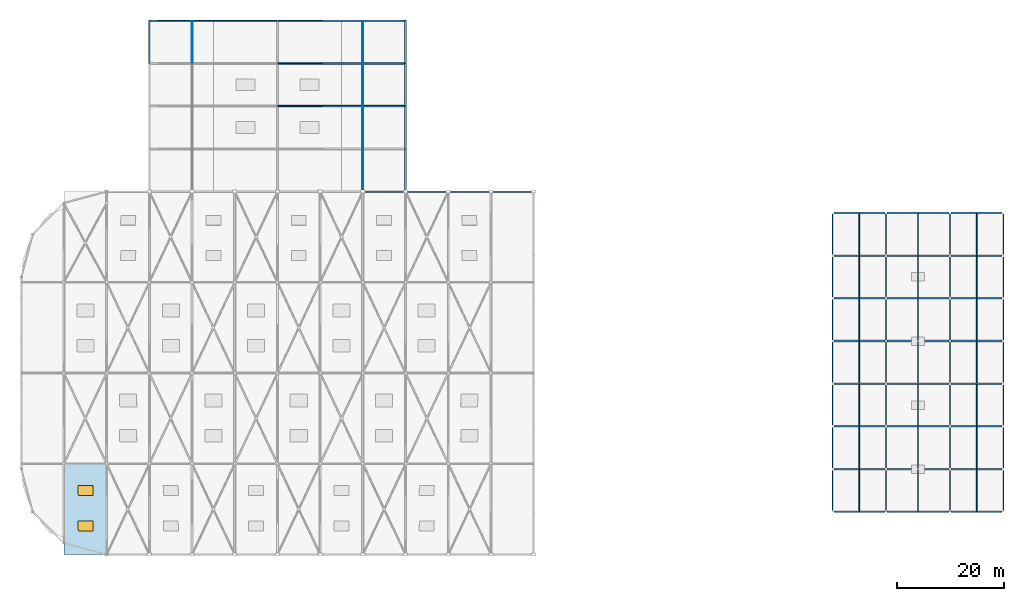
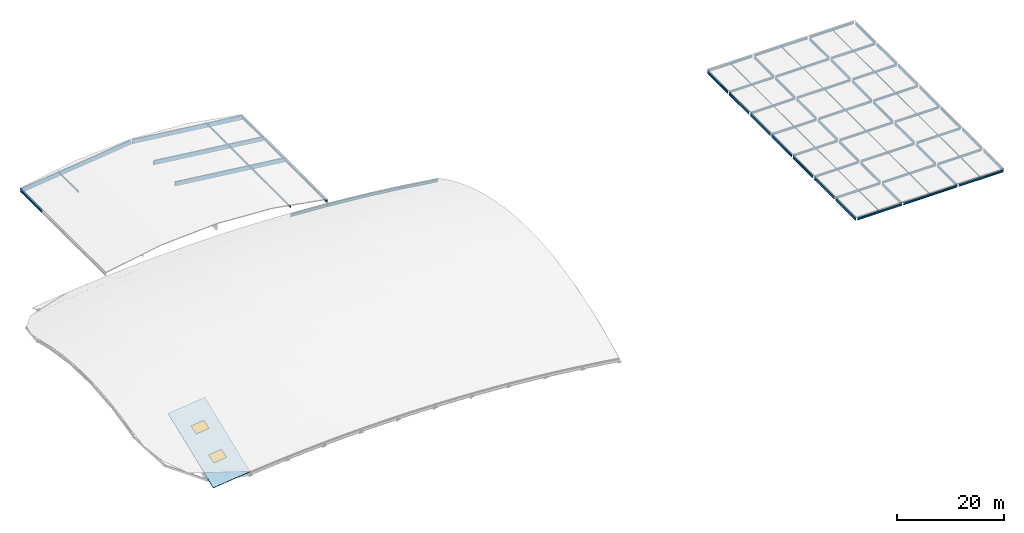
# One storey, part 4 of 11: 86 beams, 5 members, 2 windows, 1 slab, 2 openings.
"""IFC4 building model written with IfcOpenShell, lengths in metres."""

from ifc_helpers import new_model, si_unit, direction, frame, origin, origin_2d, place, context, subcontext, project, spatial, polyline, rectangle, i_section, outline, extrude, material, layer, layer_set, material_profile, profile_set, type_object, element, fill, save


model = new_model("IFC4")

# Units and contexts
model_context = context("Model", 3, precision=1e-05, world=origin(), true_north=direction((0.0, 1.0)))
body_context = subcontext(model_context, "Body", "Model", "MODEL_VIEW")
ifc_project = project(units=[si_unit("LENGTHUNIT", "METRE"), si_unit("AREAUNIT", "SQUARE_METRE"), si_unit("VOLUMEUNIT", "CUBIC_METRE"), si_unit("PLANEANGLEUNIT", "RADIAN"), si_unit("MASSUNIT", "GRAM", prefix="KILO")], contexts=[model_context])

# Site, building, storey
site_placement = place(None, origin())
site = spatial("IfcSite", under=ifc_project, at=site_placement, CompositionType="ELEMENT")
building_placement = place(site_placement, origin())
building = spatial("IfcBuilding", under=site, at=building_placement, Name="Drelvana Railside Aquatics Centre", CompositionType="ELEMENT")
storey_placement = place(building_placement, frame((0.0, 0.0, 22.800048828125)))
storey = spatial("IfcBuildingStorey", under=building, at=storey_placement, Name="Roof", CompositionType="ELEMENT", Elevation=22.800048828125)

# Beams
ifc_material_1 = material(Name="Glulam timber GL28h", Category="wood")
ifc_material_profile_1 = material_profile(ifc_material_1, rectangle(XDim=0.280029296875, YDim=0.9599609375, at=origin_2d()), Name="GL28h 280x960")
ifc_profile_set_1 = profile_set([ifc_material_profile_1], Name="Glulam timber GL28h")
beam_type_1 = type_object("IfcBeamType", Name="STR-GLB-GA-03", PredefinedType="BEAM", material=ifc_profile_set_1)
for number, where, z_axis, x_axis, name in (
    (1, (48.159912109375, 100.0, -2.040283203125), (0.993174327395, 0.0, -0.116639424741), (0.0, 1.0, 0.0), "Diving Hall glulam vault arch Y100.2"),
    (2, (48.159912109375, 108.0, -2.040283203125), (0.993174327395, 0.0, -0.116639424741), (0.0, 1.0, 0.0), "Diving Hall glulam vault arch Y108.2"),
    (3, (24.0, 116.0, -4.840087890625), (0.993174327395, 0.0, 0.116639424741), (0.0, 1.0, 0.0), "Diving Hall glulam vault arch Y116.1"),
    (4, (48.159912109375, 116.0, -2.040283203125), (0.993174327395, 0.0, -0.116639424741), (0.0, 1.0, 0.0), "Diving Hall glulam vault arch Y116.2"),
):
    element("IfcBeam", number, at=place(storey_placement, frame(where, z_axis=z_axis, x_axis=x_axis)), inside=storey, type_object=beam_type_1, Name=name, PredefinedType="BEAM", context=body_context, shape_type="SweptSolid", body=[
        extrude(rectangle(XDim=0.280029296875, YDim=0.9599609375, at=origin_2d()), origin(), (0.0, 0.0, 1.0), 24.00390625),
    ])

# Members
ifc_material_profile_2 = material_profile(ifc_material_1, rectangle(XDim=0.179931640625, YDim=0.39990234375, at=origin_2d()), Name="GL28h 180x400")
ifc_profile_set_2 = profile_set([ifc_material_profile_2], Name="Glulam timber GL28h")
member_type = type_object("IfcMemberType", Name="STR-GLM-GR-02", PredefinedType="RAFTER", material=ifc_profile_set_2)
member_1_placement = place(storey_placement, frame((32.0, 108.135009765625, -3.179931640625), z_axis=(0.0, 1.0, 0.0), x_axis=(-1.0, 0.0, 0.0)))
element("IfcMember", 5, at=member_1_placement, inside=storey, type_object=member_type, Name="Diving Hall vault purlin X32.4", PredefinedType="RAFTER", context=body_context, shape_type="SweptSolid", body=[
    extrude(rectangle(XDim=0.179931640625, YDim=0.39990234375, at=origin_2d()), origin(), (0.0, 0.0, 1.0), 7.72998046875),
])
member_2_placement = place(storey_placement, frame((64.0, 84.0, -3.179931640625), z_axis=(0.0, 1.0, 0.0), x_axis=(-1.0, 0.0, 0.0)))
element("IfcMember", 6, at=member_2_placement, inside=storey, type_object=member_type, Name="Diving Hall vault purlin X64.1", PredefinedType="RAFTER", context=body_context, shape_type="SweptSolid", body=[
    extrude(rectangle(XDim=0.179931640625, YDim=0.39990234375, at=origin_2d()), origin(), (0.0, 0.0, 1.0), 7.864990234375),
])
for number, where, z_axis, x_axis, name in (
    (7, (64.0, 92.135009765625, -3.179931640625), (0.0, 1.0, 0.0), (-1.0, 0.0, 0.0), "Diving Hall vault purlin X64.2"),
    (8, (64.0, 100.135009765625, -3.179931640625), (0.0, 1.0, 0.0), (-1.0, 0.0, 0.0), "Diving Hall vault purlin X64.3"),
    (9, (64.0, 108.135009765625, -3.179931640625), (0.0, 1.0, 0.0), (-1.0, 0.0, 0.0), "Diving Hall vault purlin X64.4"),
):
    element("IfcMember", number, at=place(storey_placement, frame(where, z_axis=z_axis, x_axis=x_axis)), inside=storey, type_object=member_type, Name=name, PredefinedType="RAFTER", context=body_context, shape_type="SweptSolid", body=[
        extrude(rectangle(XDim=0.179931640625, YDim=0.39990234375, at=origin_2d()), origin(), (0.0, 0.0, 1.0), 7.72998046875),
    ])

# Beams
ifc_material_2 = material(Name="Structural steel S355", Category="steel")
ifc_material_profile_3 = material_profile(ifc_material_2, i_section(OverallWidth=0.300048828125, OverallDepth=0.5, WebThickness=0.014404296875, FlangeThickness=0.028076171875, at=origin_2d()), Name="HEB 500")
ifc_profile_set_3 = profile_set([ifc_material_profile_3], Name="Structural steel S355")
beam_type_2 = type_object("IfcBeamType", Name="STR-SBM-RB-01-HEB-500", PredefinedType="USERDEFINED", material=ifc_profile_set_3)
for number, where, z_axis, x_axis, name in (
    (10, (24.0, 108.0, -4.719970703125), (0.0, 1.0, 0.0), (-1.0, 0.0, 0.0), "Diving Hall eaves ring beam X24.4"),
    (11, (72.0, 84.0, -4.719970703125), (0.0, 1.0, 0.0), (-1.0, 0.0, 0.0), "Diving Hall eaves ring beam X72.1"),
    (12, (72.0, 92.0, -4.719970703125), (0.0, 1.0, 0.0), (-1.0, 0.0, 0.0), "Diving Hall eaves ring beam X72.2"),
    (13, (72.0, 100.0, -4.719970703125), (0.0, 1.0, 0.0), (-1.0, 0.0, 0.0), "Diving Hall eaves ring beam X72.3"),
    (14, (72.0, 108.0, -4.719970703125), (0.0, 1.0, 0.0), (-1.0, 0.0, 0.0), "Diving Hall eaves ring beam X72.4"),
):
    element("IfcBeam", number, at=place(storey_placement, frame(where, z_axis=z_axis, x_axis=x_axis)), inside=storey, type_object=beam_type_2, Name=name, ObjectType="RING BEAM", PredefinedType="USERDEFINED", context=body_context, shape_type="SweptSolid", body=[
        extrude(i_section(OverallWidth=0.300048828125, OverallDepth=0.5, WebThickness=0.014404296875, FlangeThickness=0.028076171875, at=origin_2d()), origin(), (0.0, 0.0, 1.0), 8.0),
    ])
ifc_material_profile_4 = material_profile(ifc_material_2, i_section(OverallWidth=0.300048828125, OverallDepth=0.60009765625, WebThickness=0.015380859375, FlangeThickness=0.030029296875, at=origin_2d()), Name="HEB 600")
ifc_profile_set_4 = profile_set([ifc_material_profile_4], Name="Structural steel S355")
beam_type_3 = type_object("IfcBeamType", Name="STR-SBM-RB-02-HEB-600", PredefinedType="USERDEFINED", material=ifc_profile_set_4)
beam_1_placement = place(storey_placement, frame((64.0, 84.0, -5.0791015625), z_axis=(0.998052578483, 0.0, -0.062378286155), x_axis=(0.0, 1.0, 0.0)))
element("IfcBeam", 15, at=beam_1_placement, inside=storey, type_object=beam_type_3, Name="Gridshell Ring Beam RB-02 N-08", ObjectType="RING BEAM", PredefinedType="USERDEFINED", context=body_context, shape_type="SweptSolid", body=[
    extrude(i_section(OverallWidth=0.300048828125, OverallDepth=0.60009765625, WebThickness=0.015380859375, FlangeThickness=0.030029296875, at=origin_2d()), origin(), (0.0, 0.0, 1.0), 8.015625),
])
beam_2_placement = place(storey_placement, frame((72.0, 84.0, -5.5791015625), z_axis=(0.996194245461, 0.0, -0.087160916191), x_axis=(0.0, 1.0, 0.0)))
element("IfcBeam", 16, at=beam_2_placement, inside=storey, type_object=beam_type_3, Name="Gridshell Ring Beam RB-02 N-09", ObjectType="RING BEAM", PredefinedType="USERDEFINED", context=body_context, shape_type="SweptSolid", body=[
    extrude(i_section(OverallWidth=0.300048828125, OverallDepth=0.60009765625, WebThickness=0.015380859375, FlangeThickness=0.030029296875, at=origin_2d()), origin(), (0.0, 0.0, 1.0), 8.030517578125),
])
beam_3_placement = place(storey_placement, frame((80.0, 84.0, -6.279052734375), z_axis=(0.993732663715, 0.0, -0.111782794142), x_axis=(0.0, 1.0, 0.0)))
element("IfcBeam", 17, at=beam_3_placement, inside=storey, type_object=beam_type_3, Name="Gridshell Ring Beam RB-02 N-10", ObjectType="RING BEAM", PredefinedType="USERDEFINED", context=body_context, shape_type="SweptSolid", body=[
    extrude(i_section(OverallWidth=0.300048828125, OverallDepth=0.60009765625, WebThickness=0.015380859375, FlangeThickness=0.030029296875, at=origin_2d()), origin(), (0.0, 0.0, 1.0), 8.050537109375),
])
beam_4_placement = place(storey_placement, frame((88.0, 84.0, -7.178955078125), z_axis=(0.99067720781, 0.0, -0.136230209301), x_axis=(0.0, 1.0, 0.0)))
element("IfcBeam", 18, at=beam_4_placement, inside=storey, type_object=beam_type_3, Name="Gridshell Ring Beam RB-02 N-11", ObjectType="RING BEAM", PredefinedType="USERDEFINED", context=body_context, shape_type="SweptSolid", body=[
    extrude(i_section(OverallWidth=0.300048828125, OverallDepth=0.60009765625, WebThickness=0.015380859375, FlangeThickness=0.030029296875, at=origin_2d()), origin(), (0.0, 0.0, 1.0), 8.0751953125),
])
ifc_material_profile_5 = material_profile(ifc_material_2, i_section(OverallWidth=0.219970703125, OverallDepth=0.60009765625, WebThickness=0.011962890625, FlangeThickness=0.01904296875, at=origin_2d()), Name="IPE 600")
ifc_profile_set_5 = profile_set([ifc_material_profile_5], Name="Structural steel S355")
beam_type_4 = type_object("IfcBeamType", Name="STR-SBM-SB-05-IPE-600", PredefinedType="BEAM", material=ifc_profile_set_5)
for number, where, z_axis, x_axis, name in (
    (19, (152.0, 24.22509765625, -0.51513671875), (0.0, 1.0, 0.0), (-1.0, 0.0, 0.0), "Girder SB-05 (Roof)"),
    (20, (152.0, 32.22509765625, -0.51513671875), (0.0, 1.0, 0.0), (-1.0, 0.0, 0.0), "Girder SB-05 (Roof)"),
    (21, (152.0, 40.22509765625, -0.51513671875), (0.0, 1.0, 0.0), (-1.0, 0.0, 0.0), "Girder SB-05 (Roof)"),
    (22, (152.0, 48.22509765625, -0.51513671875), (0.0, 1.0, 0.0), (-1.0, 0.0, 0.0), "Girder SB-05 (Roof)"),
    (23, (152.0, 56.22509765625, -0.51513671875), (0.0, 1.0, 0.0), (-1.0, 0.0, 0.0), "Girder SB-05 (Roof)"),
    (24, (152.0, 64.22509765625, -0.51513671875), (0.0, 1.0, 0.0), (-1.0, 0.0, 0.0), "Girder SB-05 (Roof)"),
    (25, (152.0, 72.22509765625, -0.51513671875), (0.0, 1.0, 0.0), (-1.0, 0.0, 0.0), "Girder SB-05 (Roof)"),
    (26, (162.0, 24.22509765625, -0.51513671875), (0.0, 1.0, 0.0), (-1.0, 0.0, 0.0), "Girder SB-05 (Roof)"),
    (27, (162.0, 32.22509765625, -0.51513671875), (0.0, 1.0, 0.0), (-1.0, 0.0, 0.0), "Girder SB-05 (Roof)"),
    (28, (162.0, 40.22509765625, -0.51513671875), (0.0, 1.0, 0.0), (-1.0, 0.0, 0.0), "Girder SB-05 (Roof)"),
    (29, (162.0, 48.22509765625, -0.51513671875), (0.0, 1.0, 0.0), (-1.0, 0.0, 0.0), "Girder SB-05 (Roof)"),
    (30, (162.0, 56.22509765625, -0.51513671875), (0.0, 1.0, 0.0), (-1.0, 0.0, 0.0), "Girder SB-05 (Roof)"),
    (31, (162.0, 64.22509765625, -0.51513671875), (0.0, 1.0, 0.0), (-1.0, 0.0, 0.0), "Girder SB-05 (Roof)"),
    (32, (162.0, 72.22509765625, -0.51513671875), (0.0, 1.0, 0.0), (-1.0, 0.0, 0.0), "Girder SB-05 (Roof)"),
    (33, (174.0, 24.22509765625, -0.51513671875), (0.0, 1.0, 0.0), (-1.0, 0.0, 0.0), "Girder SB-05 (Roof)"),
    (34, (174.0, 32.22509765625, -0.51513671875), (0.0, 1.0, 0.0), (-1.0, 0.0, 0.0), "Girder SB-05 (Roof)"),
    (35, (174.0, 40.22509765625, -0.51513671875), (0.0, 1.0, 0.0), (-1.0, 0.0, 0.0), "Girder SB-05 (Roof)"),
    (36, (174.0, 48.22509765625, -0.51513671875), (0.0, 1.0, 0.0), (-1.0, 0.0, 0.0), "Girder SB-05 (Roof)"),
    (37, (174.0, 56.22509765625, -0.51513671875), (0.0, 1.0, 0.0), (-1.0, 0.0, 0.0), "Girder SB-05 (Roof)"),
    (38, (174.0, 64.22509765625, -0.51513671875), (0.0, 1.0, 0.0), (-1.0, 0.0, 0.0), "Girder SB-05 (Roof)"),
    (39, (174.0, 72.22509765625, -0.51513671875), (0.0, 1.0, 0.0), (-1.0, 0.0, 0.0), "Girder SB-05 (Roof)"),
    (40, (184.0, 24.22509765625, -0.51513671875), (0.0, 1.0, 0.0), (-1.0, 0.0, 0.0), "Girder SB-05 (Roof)"),
    (41, (184.0, 32.22509765625, -0.51513671875), (0.0, 1.0, 0.0), (-1.0, 0.0, 0.0), "Girder SB-05 (Roof)"),
    (42, (184.0, 40.22509765625, -0.51513671875), (0.0, 1.0, 0.0), (-1.0, 0.0, 0.0), "Girder SB-05 (Roof)"),
    (43, (184.0, 48.22509765625, -0.51513671875), (0.0, 1.0, 0.0), (-1.0, 0.0, 0.0), "Girder SB-05 (Roof)"),
    (44, (184.0, 56.22509765625, -0.51513671875), (0.0, 1.0, 0.0), (-1.0, 0.0, 0.0), "Girder SB-05 (Roof)"),
    (45, (184.0, 64.22509765625, -0.51513671875), (0.0, 1.0, 0.0), (-1.0, 0.0, 0.0), "Girder SB-05 (Roof)"),
    (46, (184.0, 72.22509765625, -0.51513671875), (0.0, 1.0, 0.0), (-1.0, 0.0, 0.0), "Girder SB-05 (Roof)"),
):
    element("IfcBeam", number, at=place(storey_placement, frame(where, z_axis=z_axis, x_axis=x_axis)), inside=storey, type_object=beam_type_4, Name=name, PredefinedType="BEAM", context=body_context, shape_type="SweptSolid", body=[
        extrude(i_section(OverallWidth=0.219970703125, OverallDepth=0.60009765625, WebThickness=0.011962890625, FlangeThickness=0.01904296875, at=origin_2d()), origin(), (0.0, 0.0, 1.0), 7.5498046875),
    ])
ifc_material_profile_6 = material_profile(ifc_material_2, i_section(OverallWidth=0.300048828125, OverallDepth=0.449951171875, WebThickness=0.013916015625, FlangeThickness=0.02587890625, at=origin_2d()), Name="HEB 450")
ifc_profile_set_6 = profile_set([ifc_material_profile_6], Name="Structural steel S355")
beam_type_5 = type_object("IfcBeamType", Name="STR-SBM-SB-06-HEB-450", PredefinedType="BEAM", material=ifc_profile_set_6)
beam_5_placement = place(storey_placement, frame((152.22509765625, 24.0, -0.43994140625), z_axis=(1.0, 0.0, 0.0), x_axis=(0.0, 1.0, 0.0)))
element("IfcBeam", 47, at=beam_5_placement, inside=storey, type_object=beam_type_5, Name="Girder SB-06 (Roof)", PredefinedType="BEAM", context=body_context, shape_type="SweptSolid", body=[
    extrude(i_section(OverallWidth=0.300048828125, OverallDepth=0.449951171875, WebThickness=0.013916015625, FlangeThickness=0.02587890625, at=origin_2d()), origin(), (0.0, 0.0, 1.0), 9.5498046875),
])
beam_6_placement = place(storey_placement, frame((162.22509765625, 24.0, -0.43994140625), z_axis=(1.0, 0.0, 0.0), x_axis=(0.0, 1.0, 0.0)))
element("IfcBeam", 48, at=beam_6_placement, inside=storey, type_object=beam_type_5, Name="Girder SB-06 (Roof)", PredefinedType="BEAM", context=body_context, shape_type="SweptSolid", body=[
    extrude(i_section(OverallWidth=0.300048828125, OverallDepth=0.449951171875, WebThickness=0.013916015625, FlangeThickness=0.02587890625, at=origin_2d()), origin(), (0.0, 0.0, 1.0), 11.5498046875),
])
for number, where, z_axis, x_axis, name in (
    (49, (174.22509765625, 24.0, -0.43994140625), (1.0, 0.0, 0.0), (0.0, 1.0, 0.0), "Girder SB-06 (Roof)"),
    (50, (152.22509765625, 32.0, -0.43994140625), (1.0, 0.0, 0.0), (0.0, 1.0, 0.0), "Girder SB-06 (Roof)"),
):
    element("IfcBeam", number, at=place(storey_placement, frame(where, z_axis=z_axis, x_axis=x_axis)), inside=storey, type_object=beam_type_5, Name=name, PredefinedType="BEAM", context=body_context, shape_type="SweptSolid", body=[
        extrude(i_section(OverallWidth=0.300048828125, OverallDepth=0.449951171875, WebThickness=0.013916015625, FlangeThickness=0.02587890625, at=origin_2d()), origin(), (0.0, 0.0, 1.0), 9.5498046875),
    ])
beam_7_placement = place(storey_placement, frame((162.22509765625, 32.0, -0.43994140625), z_axis=(1.0, 0.0, 0.0), x_axis=(0.0, 1.0, 0.0)))
element("IfcBeam", 51, at=beam_7_placement, inside=storey, type_object=beam_type_5, Name="Girder SB-06 (Roof)", PredefinedType="BEAM", context=body_context, shape_type="SweptSolid", body=[
    extrude(i_section(OverallWidth=0.300048828125, OverallDepth=0.449951171875, WebThickness=0.013916015625, FlangeThickness=0.02587890625, at=origin_2d()), origin(), (0.0, 0.0, 1.0), 11.5498046875),
])
for number, where, z_axis, x_axis, name in (
    (52, (174.22509765625, 32.0, -0.43994140625), (1.0, 0.0, 0.0), (0.0, 1.0, 0.0), "Girder SB-06 (Roof)"),
    (53, (152.22509765625, 40.0, -0.43994140625), (1.0, 0.0, 0.0), (0.0, 1.0, 0.0), "Girder SB-06 (Roof)"),
):
    element("IfcBeam", number, at=place(storey_placement, frame(where, z_axis=z_axis, x_axis=x_axis)), inside=storey, type_object=beam_type_5, Name=name, PredefinedType="BEAM", context=body_context, shape_type="SweptSolid", body=[
        extrude(i_section(OverallWidth=0.300048828125, OverallDepth=0.449951171875, WebThickness=0.013916015625, FlangeThickness=0.02587890625, at=origin_2d()), origin(), (0.0, 0.0, 1.0), 9.5498046875),
    ])
beam_8_placement = place(storey_placement, frame((162.22509765625, 40.0, -0.43994140625), z_axis=(1.0, 0.0, 0.0), x_axis=(0.0, 1.0, 0.0)))
element("IfcBeam", 54, at=beam_8_placement, inside=storey, type_object=beam_type_5, Name="Girder SB-06 (Roof)", PredefinedType="BEAM", context=body_context, shape_type="SweptSolid", body=[
    extrude(i_section(OverallWidth=0.300048828125, OverallDepth=0.449951171875, WebThickness=0.013916015625, FlangeThickness=0.02587890625, at=origin_2d()), origin(), (0.0, 0.0, 1.0), 11.5498046875),
])
for number, where, z_axis, x_axis, name in (
    (55, (174.22509765625, 40.0, -0.43994140625), (1.0, 0.0, 0.0), (0.0, 1.0, 0.0), "Girder SB-06 (Roof)"),
    (56, (152.22509765625, 48.0, -0.43994140625), (1.0, 0.0, 0.0), (0.0, 1.0, 0.0), "Girder SB-06 (Roof)"),
):
    element("IfcBeam", number, at=place(storey_placement, frame(where, z_axis=z_axis, x_axis=x_axis)), inside=storey, type_object=beam_type_5, Name=name, PredefinedType="BEAM", context=body_context, shape_type="SweptSolid", body=[
        extrude(i_section(OverallWidth=0.300048828125, OverallDepth=0.449951171875, WebThickness=0.013916015625, FlangeThickness=0.02587890625, at=origin_2d()), origin(), (0.0, 0.0, 1.0), 9.5498046875),
    ])
beam_9_placement = place(storey_placement, frame((162.22509765625, 48.0, -0.43994140625), z_axis=(1.0, 0.0, 0.0), x_axis=(0.0, 1.0, 0.0)))
element("IfcBeam", 57, at=beam_9_placement, inside=storey, type_object=beam_type_5, Name="Girder SB-06 (Roof)", PredefinedType="BEAM", context=body_context, shape_type="SweptSolid", body=[
    extrude(i_section(OverallWidth=0.300048828125, OverallDepth=0.449951171875, WebThickness=0.013916015625, FlangeThickness=0.02587890625, at=origin_2d()), origin(), (0.0, 0.0, 1.0), 11.5498046875),
])
for number, where, z_axis, x_axis, name in (
    (58, (174.22509765625, 48.0, -0.43994140625), (1.0, 0.0, 0.0), (0.0, 1.0, 0.0), "Girder SB-06 (Roof)"),
    (59, (152.22509765625, 56.0, -0.43994140625), (1.0, 0.0, 0.0), (0.0, 1.0, 0.0), "Girder SB-06 (Roof)"),
):
    element("IfcBeam", number, at=place(storey_placement, frame(where, z_axis=z_axis, x_axis=x_axis)), inside=storey, type_object=beam_type_5, Name=name, PredefinedType="BEAM", context=body_context, shape_type="SweptSolid", body=[
        extrude(i_section(OverallWidth=0.300048828125, OverallDepth=0.449951171875, WebThickness=0.013916015625, FlangeThickness=0.02587890625, at=origin_2d()), origin(), (0.0, 0.0, 1.0), 9.5498046875),
    ])
beam_10_placement = place(storey_placement, frame((162.22509765625, 56.0, -0.43994140625), z_axis=(1.0, 0.0, 0.0), x_axis=(0.0, 1.0, 0.0)))
element("IfcBeam", 60, at=beam_10_placement, inside=storey, type_object=beam_type_5, Name="Girder SB-06 (Roof)", PredefinedType="BEAM", context=body_context, shape_type="SweptSolid", body=[
    extrude(i_section(OverallWidth=0.300048828125, OverallDepth=0.449951171875, WebThickness=0.013916015625, FlangeThickness=0.02587890625, at=origin_2d()), origin(), (0.0, 0.0, 1.0), 11.5498046875),
])
for number, where, z_axis, x_axis, name in (
    (61, (174.22509765625, 56.0, -0.43994140625), (1.0, 0.0, 0.0), (0.0, 1.0, 0.0), "Girder SB-06 (Roof)"),
    (62, (152.22509765625, 64.0, -0.43994140625), (1.0, 0.0, 0.0), (0.0, 1.0, 0.0), "Girder SB-06 (Roof)"),
):
    element("IfcBeam", number, at=place(storey_placement, frame(where, z_axis=z_axis, x_axis=x_axis)), inside=storey, type_object=beam_type_5, Name=name, PredefinedType="BEAM", context=body_context, shape_type="SweptSolid", body=[
        extrude(i_section(OverallWidth=0.300048828125, OverallDepth=0.449951171875, WebThickness=0.013916015625, FlangeThickness=0.02587890625, at=origin_2d()), origin(), (0.0, 0.0, 1.0), 9.5498046875),
    ])
beam_11_placement = place(storey_placement, frame((162.22509765625, 64.0, -0.43994140625), z_axis=(1.0, 0.0, 0.0), x_axis=(0.0, 1.0, 0.0)))
element("IfcBeam", 63, at=beam_11_placement, inside=storey, type_object=beam_type_5, Name="Girder SB-06 (Roof)", PredefinedType="BEAM", context=body_context, shape_type="SweptSolid", body=[
    extrude(i_section(OverallWidth=0.300048828125, OverallDepth=0.449951171875, WebThickness=0.013916015625, FlangeThickness=0.02587890625, at=origin_2d()), origin(), (0.0, 0.0, 1.0), 11.5498046875),
])
for number, where, z_axis, x_axis, name in (
    (64, (174.22509765625, 64.0, -0.43994140625), (1.0, 0.0, 0.0), (0.0, 1.0, 0.0), "Girder SB-06 (Roof)"),
    (65, (152.22509765625, 72.0, -0.43994140625), (1.0, 0.0, 0.0), (0.0, 1.0, 0.0), "Girder SB-06 (Roof)"),
):
    element("IfcBeam", number, at=place(storey_placement, frame(where, z_axis=z_axis, x_axis=x_axis)), inside=storey, type_object=beam_type_5, Name=name, PredefinedType="BEAM", context=body_context, shape_type="SweptSolid", body=[
        extrude(i_section(OverallWidth=0.300048828125, OverallDepth=0.449951171875, WebThickness=0.013916015625, FlangeThickness=0.02587890625, at=origin_2d()), origin(), (0.0, 0.0, 1.0), 9.5498046875),
    ])
beam_12_placement = place(storey_placement, frame((162.22509765625, 72.0, -0.43994140625), z_axis=(1.0, 0.0, 0.0), x_axis=(0.0, 1.0, 0.0)))
element("IfcBeam", 66, at=beam_12_placement, inside=storey, type_object=beam_type_5, Name="Girder SB-06 (Roof)", PredefinedType="BEAM", context=body_context, shape_type="SweptSolid", body=[
    extrude(i_section(OverallWidth=0.300048828125, OverallDepth=0.449951171875, WebThickness=0.013916015625, FlangeThickness=0.02587890625, at=origin_2d()), origin(), (0.0, 0.0, 1.0), 11.5498046875),
])
for number, where, z_axis, x_axis, name in (
    (67, (174.22509765625, 72.0, -0.43994140625), (1.0, 0.0, 0.0), (0.0, 1.0, 0.0), "Girder SB-06 (Roof)"),
    (68, (152.22509765625, 80.0, -0.43994140625), (1.0, 0.0, 0.0), (0.0, 1.0, 0.0), "Girder SB-06 (Roof)"),
):
    element("IfcBeam", number, at=place(storey_placement, frame(where, z_axis=z_axis, x_axis=x_axis)), inside=storey, type_object=beam_type_5, Name=name, PredefinedType="BEAM", context=body_context, shape_type="SweptSolid", body=[
        extrude(i_section(OverallWidth=0.300048828125, OverallDepth=0.449951171875, WebThickness=0.013916015625, FlangeThickness=0.02587890625, at=origin_2d()), origin(), (0.0, 0.0, 1.0), 9.5498046875),
    ])
beam_13_placement = place(storey_placement, frame((162.22509765625, 80.0, -0.43994140625), z_axis=(1.0, 0.0, 0.0), x_axis=(0.0, 1.0, 0.0)))
element("IfcBeam", 69, at=beam_13_placement, inside=storey, type_object=beam_type_5, Name="Girder SB-06 (Roof)", PredefinedType="BEAM", context=body_context, shape_type="SweptSolid", body=[
    extrude(i_section(OverallWidth=0.300048828125, OverallDepth=0.449951171875, WebThickness=0.013916015625, FlangeThickness=0.02587890625, at=origin_2d()), origin(), (0.0, 0.0, 1.0), 11.5498046875),
])
beam_14_placement = place(storey_placement, frame((174.22509765625, 80.0, -0.43994140625), z_axis=(1.0, 0.0, 0.0), x_axis=(0.0, 1.0, 0.0)))
element("IfcBeam", 70, at=beam_14_placement, inside=storey, type_object=beam_type_5, Name="Girder SB-06 (Roof)", PredefinedType="BEAM", context=body_context, shape_type="SweptSolid", body=[
    extrude(i_section(OverallWidth=0.300048828125, OverallDepth=0.449951171875, WebThickness=0.013916015625, FlangeThickness=0.02587890625, at=origin_2d()), origin(), (0.0, 0.0, 1.0), 9.5498046875),
])
ifc_material_profile_7 = material_profile(ifc_material_2, i_section(OverallWidth=0.1201171875, OverallDepth=0.239990234375, WebThickness=0.006103515625, FlangeThickness=0.009765625, at=origin_2d()), Name="IPE 240")
ifc_profile_set_7 = profile_set([ifc_material_profile_7], Name="Structural steel S355")
beam_type_6 = type_object("IfcBeamType", Name="STR-SBM-SJ-01-IPE-240", PredefinedType="JOIST", material=ifc_profile_set_7)
for number, where, z_axis, x_axis, name in (
    (71, (157.0, 24.14990234375, -0.3349609375), (0.0, 1.0, 0.0), (-1.0, 0.0, 0.0), "Secondary floor joist SJ-01 (Roof)"),
    (72, (157.0, 32.14990234375, -0.3349609375), (0.0, 1.0, 0.0), (-1.0, 0.0, 0.0), "Secondary floor joist SJ-01 (Roof)"),
    (73, (157.0, 40.14990234375, -0.3349609375), (0.0, 1.0, 0.0), (-1.0, 0.0, 0.0), "Secondary floor joist SJ-01 (Roof)"),
    (74, (157.0, 48.14990234375, -0.3349609375), (0.0, 1.0, 0.0), (-1.0, 0.0, 0.0), "Secondary floor joist SJ-01 (Roof)"),
    (75, (157.0, 56.14990234375, -0.3349609375), (0.0, 1.0, 0.0), (-1.0, 0.0, 0.0), "Secondary floor joist SJ-01 (Roof)"),
    (76, (157.0, 64.14990234375, -0.3349609375), (0.0, 1.0, 0.0), (-1.0, 0.0, 0.0), "Secondary floor joist SJ-01 (Roof)"),
    (77, (157.0, 72.14990234375, -0.3349609375), (0.0, 1.0, 0.0), (-1.0, 0.0, 0.0), "Secondary floor joist SJ-01 (Roof)"),
    (78, (168.0, 24.14990234375, -0.3349609375), (0.0, 1.0, 0.0), (-1.0, 0.0, 0.0), "Secondary floor joist SJ-01 (Roof)"),
    (79, (168.0, 32.14990234375, -0.3349609375), (0.0, 1.0, 0.0), (-1.0, 0.0, 0.0), "Secondary floor joist SJ-01 (Roof)"),
    (80, (168.0, 40.14990234375, -0.3349609375), (0.0, 1.0, 0.0), (-1.0, 0.0, 0.0), "Secondary floor joist SJ-01 (Roof)"),
    (81, (168.0, 48.14990234375, -0.3349609375), (0.0, 1.0, 0.0), (-1.0, 0.0, 0.0), "Secondary floor joist SJ-01 (Roof)"),
    (82, (168.0, 56.14990234375, -0.3349609375), (0.0, 1.0, 0.0), (-1.0, 0.0, 0.0), "Secondary floor joist SJ-01 (Roof)"),
    (83, (168.0, 64.14990234375, -0.3349609375), (0.0, 1.0, 0.0), (-1.0, 0.0, 0.0), "Secondary floor joist SJ-01 (Roof)"),
    (84, (168.0, 72.14990234375, -0.3349609375), (0.0, 1.0, 0.0), (-1.0, 0.0, 0.0), "Secondary floor joist SJ-01 (Roof)"),
    (85, (179.0, 24.14990234375, -0.3349609375), (0.0, 1.0, 0.0), (-1.0, 0.0, 0.0), "Secondary floor joist SJ-01 (Roof)"),
    (86, (179.0, 32.14990234375, -0.3349609375), (0.0, 1.0, 0.0), (-1.0, 0.0, 0.0), "Secondary floor joist SJ-01 (Roof)"),
    (87, (179.0, 40.14990234375, -0.3349609375), (0.0, 1.0, 0.0), (-1.0, 0.0, 0.0), "Secondary floor joist SJ-01 (Roof)"),
    (88, (179.0, 48.14990234375, -0.3349609375), (0.0, 1.0, 0.0), (-1.0, 0.0, 0.0), "Secondary floor joist SJ-01 (Roof)"),
    (89, (179.0, 56.14990234375, -0.3349609375), (0.0, 1.0, 0.0), (-1.0, 0.0, 0.0), "Secondary floor joist SJ-01 (Roof)"),
    (90, (179.0, 64.14990234375, -0.3349609375), (0.0, 1.0, 0.0), (-1.0, 0.0, 0.0), "Secondary floor joist SJ-01 (Roof)"),
    (91, (179.0, 72.14990234375, -0.3349609375), (0.0, 1.0, 0.0), (-1.0, 0.0, 0.0), "Secondary floor joist SJ-01 (Roof)"),
):
    element("IfcBeam", number, at=place(storey_placement, frame(where, z_axis=z_axis, x_axis=x_axis)), inside=storey, type_object=beam_type_6, Name=name, PredefinedType="JOIST", context=body_context, shape_type="SweptSolid", body=[
        extrude(i_section(OverallWidth=0.1201171875, OverallDepth=0.239990234375, WebThickness=0.006103515625, FlangeThickness=0.009765625, at=origin_2d()), origin(), (0.0, 0.0, 1.0), 7.7001953125),
    ])

# Slab, openings, windows
ifc_layer = layer(ifc_material_1, 0.14990234375, Name="Glulam timber GL28h")
ifc_layer_set = layer_set([ifc_layer], Name="Glulam timber GL28h")
slab_type = type_object("IfcSlabType", Name="SL-RF-150", PredefinedType="ROOF", material=ifc_layer_set)
slab_placement = place(storey_placement, frame((8.0, 16.0, -6.699951171875), z_axis=(-0.103981261976, -0.367032514903, 0.924378185681), x_axis=(0.993732663715, 0.0, 0.111782794142)))
slab = element("IfcSlab", 92, at=slab_placement, inside=storey, type_object=slab_type, Name="Gridshell planar roof panel 2.1", PredefinedType="ROOF", context=body_context, shape_type="SweptSolid", body=[
    extrude(outline(polyline([(0.0, 0.0), (8.050454908158095, -5.551115123125783e-17), (8.804988768618196, 18.27548025780497), (0.7545338604601017, 18.27548025780497), (0.0, 0.0)])), origin(), (0.0, 0.0, -1.0), 0.14990234375),
])
opening_1_placement = place(slab_placement, frame((4.312255859375, 5.7734375, 0.010009765625)))
opening_1 = element("IfcOpeningElement", 93, at=opening_1_placement, cuts=slab, Name="Opening SK-03", PredefinedType="OPENING", context=body_context, shape_type="SweptSolid", body=[
    extrude(rectangle(XDim=2.800048828125, YDim=2.0, at=origin_2d()), origin(), (0.0, 0.0, -1.0), 0.169921875),
])
opening_2_placement = place(slab_placement, frame((4.605224609375, 12.86865234375, 0.010009765625)))
opening_2 = element("IfcOpeningElement", 94, at=opening_2_placement, cuts=slab, Name="Opening SK-03", PredefinedType="OPENING", context=body_context, shape_type="SweptSolid", body=[
    extrude(rectangle(XDim=2.800048828125, YDim=2.0, at=origin_2d()), origin(), (0.0, 0.0, -1.0), 0.169921875),
])
ifc_material_3 = material(Name="Laminated solar-control safety glass", Category="glass")
window_type = type_object("IfcWindowType", Name="WIN-SK-03", PartitioningType="SINGLE_PANEL", PredefinedType="SKYLIGHT", material=ifc_material_3)
window_1_placement = place(slab_placement, frame((4.312255859375, 5.7734375, 0.0)))
window_1 = element("IfcWindow", 95, at=window_1_placement, inside=storey, type_object=window_type, Name="Gridshell rooflight SK-GS-01", OverallHeight=2.0, OverallWidth=2.800048828125, PartitioningType="SINGLE_PANEL", PredefinedType="SKYLIGHT", context=body_context, shape_type="SweptSolid", body=[
    extrude(rectangle(XDim=2.800048828125, YDim=2.0, at=origin_2d()), origin(), (0.0, 0.0, -1.0), 0.06005859375),
])
fill(opening_1, window_1)
window_2_placement = place(slab_placement, frame((4.605224609375, 12.86865234375, 0.0)))
window_2 = element("IfcWindow", 96, at=window_2_placement, inside=storey, type_object=window_type, Name="Gridshell rooflight SK-GS-02", OverallHeight=2.0, OverallWidth=2.800048828125, PartitioningType="SINGLE_PANEL", PredefinedType="SKYLIGHT", context=body_context, shape_type="SweptSolid", body=[
    extrude(rectangle(XDim=2.800048828125, YDim=2.0, at=origin_2d()), origin(), (0.0, 0.0, -1.0), 0.06005859375),
])
fill(opening_2, window_2)

save(model, "model.ifc")
